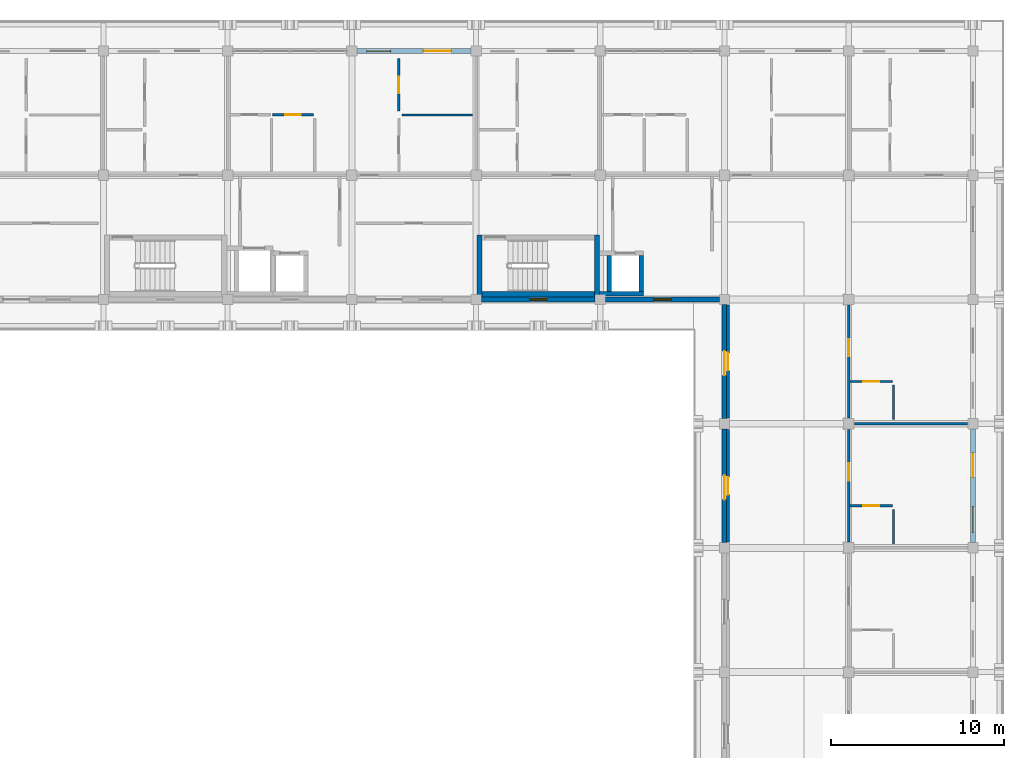
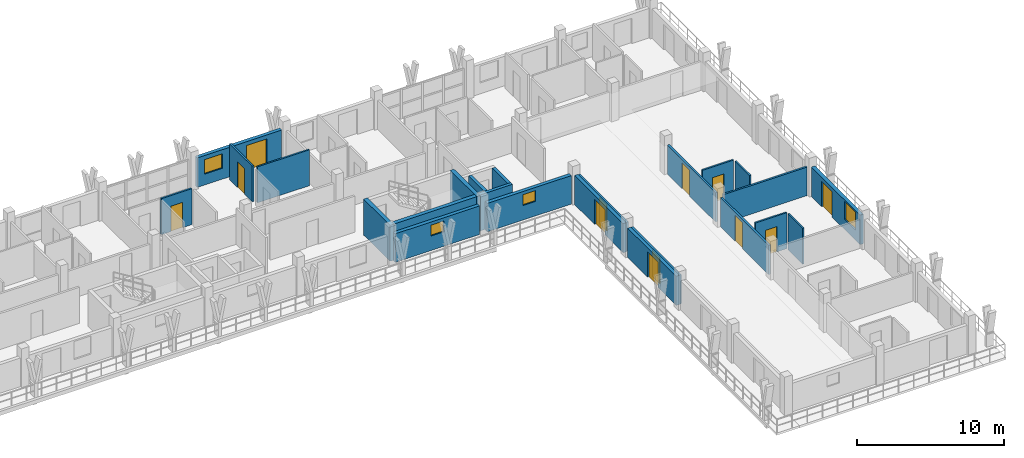
# One storey, part 58 of 76: 24 walls, 12 doors, 4 windows, 16 openings.
"""IFC4 building model written with IfcOpenShell, lengths in metres."""

import ifcopenshell
import ifcopenshell.guid

model = None  # the IFC model being written
_history = None  # IfcOwnerHistory: only IFC2X3 demands one
_inside = {}  # id of a spatial element -> (the spatial element, [elements in it])
_under = {}  # id of a project, library or spatial element -> (it, [spatial elements below it])
_declared = {}  # id of a project -> (the project, [libraries it declares])
_typed = {}  # id of a type object -> (the type object, [elements of that type])
_made_of = {}  # id of a material, layer set ... -> (it, [elements and type objects made of it])


def new_model(schema):
    """Start an empty IFC model of exactly this schema.

    Asked for "IFC4X3", IfcOpenShell would pick the latest addendum, in which some entities
    have other attributes; the version numbers below select the first issue.
    IFC2X3 requires an IfcOwnerHistory on every rooted entity: one is made here for all.
    """
    global model, _history
    if schema == "IFC4X3":
        model = ifcopenshell.file(schema_version=(4, 3, 0, 0))
    else:
        model = ifcopenshell.file(schema=schema)
    _inside.clear()
    _under.clear()
    _declared.clear()
    _typed.clear()
    _made_of.clear()
    _history = None
    if model.schema == "IFC2X3":
        org = make("IfcOrganization", Name="unknown")
        user = make(
            "IfcPersonAndOrganization",
            ThePerson=make("IfcPerson", FamilyName="unknown"),
            TheOrganization=org,
        )
        app = make(
            "IfcApplication",
            ApplicationDeveloper=org,
            Version="unknown",
            ApplicationFullName="unknown",
            ApplicationIdentifier="unknown",
        )
        _history = make(
            "IfcOwnerHistory",
            OwningUser=user,
            OwningApplication=app,
            ChangeAction="ADDED",
            CreationDate=0,
        )
    return model


def make(cls, **values):
    """One entity of the class cls with the attributes given. An attribute that is None is left unset."""
    return model.create_entity(
        cls, **{name: value for name, value in values.items() if value is not None}
    )


def rooted(cls, **values):
    """An entity with a GlobalId (a new one), such as an element, a storey or a relation."""
    return make(cls, GlobalId=ifcopenshell.guid.new(), OwnerHistory=_history, **values)


def si_unit(unit_type, name, prefix=None):
    """IfcSIUnit, for example si_unit("LENGTHUNIT", "METRE", prefix="MILLI")."""
    return make("IfcSIUnit", UnitType=unit_type, Prefix=prefix, Name=name)


def assignment(units):
    """IfcUnitAssignment: the units of a project."""
    return None if units is None else make("IfcUnitAssignment", Units=units)


def point(xyz):
    """IfcCartesianPoint."""
    return None if xyz is None else make("IfcCartesianPoint", Coordinates=xyz)


def direction(xyz):
    """IfcDirection."""
    return None if xyz is None else make("IfcDirection", DirectionRatios=xyz)


def frame(location, z_axis=None, x_axis=None):
    """IfcAxis2Placement3D, a coordinate frame: its origin and axes. An axis left out is left unset."""
    return make(
        "IfcAxis2Placement3D",
        Location=point(location),
        Axis=direction(z_axis),
        RefDirection=direction(x_axis),
    )


def frame_2d(location, x_axis=None):
    """IfcAxis2Placement2D, a coordinate frame in the plane: its origin and x axis."""
    return make(
        "IfcAxis2Placement2D", Location=point(location), RefDirection=direction(x_axis)
    )


def origin():
    """The frame at (0, 0, 0) with its axes left unset."""
    return frame((0.0, 0.0, 0.0))


def place(relative_to, where):
    """IfcLocalPlacement: puts the frame where relative to a parent placement (None: the world)."""
    return make(
        "IfcLocalPlacement", PlacementRelTo=relative_to, RelativePlacement=where
    )


def context(
    kind, dimensions, precision=None, world=None, true_north=None, identifier=None
):
    """IfcGeometricRepresentationContext, for example the 3D "Model" context."""
    return make(
        "IfcGeometricRepresentationContext",
        ContextIdentifier=identifier,
        ContextType=kind,
        CoordinateSpaceDimension=dimensions,
        Precision=precision,
        WorldCoordinateSystem=world,
        TrueNorth=true_north,
    )


def subcontext(parent, identifier, kind, view, scale=None):
    """IfcGeometricRepresentationSubContext, for example "Body" below "Model"."""
    return make(
        "IfcGeometricRepresentationSubContext",
        ContextIdentifier=identifier,
        ContextType=kind,
        ParentContext=parent,
        TargetScale=scale,
        TargetView=view,
    )


def project(units=None, contexts=None):
    """IfcProject with its units and contexts."""
    return rooted(
        "IfcProject",
        Name="project",
        RepresentationContexts=contexts,
        UnitsInContext=assignment(units),
    )


def spatial(cls, under=None, at=None, **own):
    """A site, building, storey or space (cls), placed at a placement, below another one or the project."""
    s = rooted(cls, ObjectPlacement=at, **own)
    if under is not None:
        _under.setdefault(under.id(), (under, []))[1].append(s)
    return s


def profile(cls, at=None, kind="AREA", **sizes):
    """A parametric profile (cls). Its sizes go by their IFC names, for example OverallWidth=200.0."""
    return make(cls, ProfileType=kind, Position=at, **sizes)


def rectangle(**sizes):
    """IfcRectangleProfileDef."""
    return profile("IfcRectangleProfileDef", **sizes)


def extrude(swept, where, along, depth):
    """IfcExtrudedAreaSolid: the profile swept, set in the frame where, extruded along a direction by depth."""
    return make(
        "IfcExtrudedAreaSolid",
        SweptArea=swept,
        Position=where,
        ExtrudedDirection=direction(along),
        Depth=depth,
    )


def shape(context_of_items, identifier, shape_type, items):
    """IfcShapeRepresentation: the items that make up one representation, for example the "Body"."""
    return make(
        "IfcShapeRepresentation",
        ContextOfItems=context_of_items,
        RepresentationIdentifier=identifier,
        RepresentationType=shape_type,
        Items=items,
    )


def material(Name=None, Category=None):
    """IfcMaterial."""
    return make("IfcMaterial", Name=Name, Category=Category)


def layer(
    of_material, thickness, ventilated=None, Name=None, Category=None, Priority=None
):
    """IfcMaterialLayer: one layer of a wall or slab, of a material (None: an air gap)."""
    return make(
        "IfcMaterialLayer",
        Material=of_material,
        LayerThickness=thickness,
        IsVentilated=ventilated,
        Name=Name,
        Category=Category,
        Priority=Priority,
    )


def layer_set(layers, Name=None):
    """IfcMaterialLayerSet."""
    return make("IfcMaterialLayerSet", MaterialLayers=layers, LayerSetName=Name)


def made_of(thing, what):
    """Note that an element or type object is made of a material, layer set ...; save() writes the relation."""
    if what is not None:
        _made_of.setdefault(what.id(), (what, []))[1].append(thing)
    return thing


def type_object(cls, material=None, **own):
    """A type object (cls), such as IfcWallType, which elements share."""
    return made_of(rooted(cls, **own), material)


def element(
    cls,
    number,
    at=None,
    inside=None,
    cuts=None,
    type_object=None,
    material=None,
    context=None,
    identifier="Body",
    shape_type=None,
    held_by="IfcProductDefinitionShape",
    body=None,
    shapes=None,
    **own,
):
    """One element of the class cls, such as IfcWall. Its Tag is "e" and its number.

    at: its placement. inside: the storey or other place that contains it. cuts: it is an
    opening in that element (IfcRelVoidsElement). A single representation is given by context,
    identifier, shape_type and body (its items); several are given by shapes. held_by: the class
    of the entity that holds the representations. save() writes the other relations.
    """
    e = rooted(cls, Tag="e%d" % number, ObjectPlacement=at, **own)
    if body is not None:
        shapes = [shape(context, identifier, shape_type, body)]
    if shapes is not None:
        e.Representation = make(held_by, Representations=shapes)
    if inside is not None:
        _inside.setdefault(inside.id(), (inside, []))[1].append(e)
    if cuts is not None:
        rooted(
            "IfcRelVoidsElement", RelatingBuildingElement=cuts, RelatedOpeningElement=e
        )
    if type_object is not None:
        _typed.setdefault(type_object.id(), (type_object, []))[1].append(e)
    return made_of(e, material)


def fill(opening, filler):
    """IfcRelFillsElement: the door or window that sits in an opening."""
    return rooted(
        "IfcRelFillsElement",
        RelatingOpeningElement=opening,
        RelatedBuildingElement=filler,
    )


def aggregate(whole, parts):
    """IfcRelAggregates: a whole, such as a stair, and the parts it consists of."""
    return rooted("IfcRelAggregates", RelatingObject=whole, RelatedObjects=parts)


def save(model, path):
    """Write the relations noted so far, then the file.

    IfcRelAggregates (storeys below a building ...), IfcRelContainedInSpatialStructure (elements
    in a storey), IfcRelDefinesByType, IfcRelAssociatesMaterial and IfcRelDeclares: one each for
    every whole, place, type object, material and project.
    """
    for whole, parts in _under.values():
        aggregate(whole, parts)
    for where, things in _inside.values():
        rooted(
            "IfcRelContainedInSpatialStructure",
            RelatedElements=things,
            RelatingStructure=where,
        )
    for kind, things in _typed.values():
        rooted("IfcRelDefinesByType", RelatedObjects=things, RelatingType=kind)
    for what, things in _made_of.values():
        rooted("IfcRelAssociatesMaterial", RelatedObjects=things, RelatingMaterial=what)
    for by, libraries in _declared.values():
        rooted("IfcRelDeclares", RelatingContext=by, RelatedDefinitions=libraries)
    model.write(path)


model = new_model("IFC4")

# Units and contexts
model_context = context("Model", 3, precision=1e-05, world=origin(), true_north=direction((0.0, 1.0)))
body_context = subcontext(model_context, "Body", "Model", "MODEL_VIEW")
ifc_project = project(units=[si_unit("LENGTHUNIT", "METRE"), si_unit("AREAUNIT", "SQUARE_METRE"), si_unit("VOLUMEUNIT", "CUBIC_METRE"), si_unit("PLANEANGLEUNIT", "RADIAN"), si_unit("MASSUNIT", "GRAM", prefix="KILO")], contexts=[model_context])

# Site, building, storey
site_placement = place(None, origin())
site = spatial("IfcSite", under=ifc_project, at=site_placement, CompositionType="ELEMENT")
building_placement = place(site_placement, origin())
building = spatial("IfcBuilding", under=site, at=building_placement, Name="Suanplinth Sawtooth Commons", CompositionType="ELEMENT")
storey_placement = place(building_placement, frame((0.0, 0.0, 12.199951171875)))
storey = spatial("IfcBuildingStorey", under=building, at=storey_placement, Name="L03", CompositionType="ELEMENT", Elevation=12.199951171875)

# Walls
ifc_material_1 = material(Name="Concrete C40/50", Category="concrete")
ifc_layer_1 = layer(ifc_material_1, 0.300048828125, Name="Standard RC stair and lift core wall 300mm")
ifc_layer_set_1 = layer_set([ifc_layer_1], Name="Concrete C40/50")
wall_type_1 = type_object("IfcWallType", Name="W-CR02", PredefinedType="SHEAR", material=ifc_layer_set_1)
wall_1_placement = place(storey_placement, frame((158.75, 108.300048828125, 0.0), z_axis=(0.0, 0.0, 1.0), x_axis=(1.0, 0.0, 0.0)))
element("IfcWall", 1, at=wall_1_placement, inside=storey, type_object=wall_type_1, Name="W-L03-C-B2-STS", PredefinedType="SHEAR", context=body_context, shape_type="SweptSolid", body=[
    extrude(rectangle(XDim=6.5, YDim=0.300048828125, at=frame_2d((3.25, 0.0))), origin(), (0.0, 0.0, 1.0), 2.97998046875),
])
for number, where, z_axis, x_axis, name in (
    (2, (158.60009765625, 108.14990234375, 0.0), (0.0, 0.0, 1.0), (0.0, 1.0, 0.0), "W-L03-C-B2-STW"),
    (3, (165.39990234375, 108.14990234375, 0.0), (0.0, 0.0, 1.0), (0.0, 1.0, 0.0), "W-L03-C-B2-STE"),
):
    element("IfcWall", number, at=place(storey_placement, frame(where, z_axis=z_axis, x_axis=x_axis)), inside=storey, type_object=wall_type_1, Name=name, PredefinedType="SHEAR", context=body_context, shape_type="SweptSolid", body=[
        extrude(rectangle(XDim=3.60009765625, YDim=0.300048828125, at=frame_2d((1.800048828125, 0.0))), origin(), (0.0, 0.0, 1.0), 2.97998046875),
    ])

# Wall, openings, door, window
ifc_material_2 = material(Name="Precast concrete C40/50", Category="concrete")
ifc_layer_2 = layer(ifc_material_2, 0.280029296875, Name="Insulated precast architectural facade wall 280mm")
ifc_layer_set_2 = layer_set([ifc_layer_2], Name="Precast concrete C40/50")
wall_type_2 = type_object("IfcWallType", Name="W-EX01", PredefinedType="ELEMENTEDWALL", material=ifc_layer_set_2)
wall_2_placement = place(storey_placement, frame((151.5, 122.39990234375, 0.0), z_axis=(0.0, 0.0, 1.0), x_axis=(1.0, 0.0, 0.0)))
wall_2 = element("IfcWall", 4, at=wall_2_placement, inside=storey, type_object=wall_type_2, Name="Facade Wall W-L03-B-N-21-16", PredefinedType="ELEMENTEDWALL", context=body_context, shape_type="SweptSolid", body=[
    extrude(rectangle(XDim=6.60009765625, YDim=0.280029296875, at=frame_2d((3.300048828125, 0.0))), origin(), (0.0, 0.0, 1.0), 2.445068359375),
])
opening_1_placement = place(wall_2_placement, frame((3.85009765625, 0.0, 0.0)))
opening_1 = element("IfcOpeningElement", 5, at=opening_1_placement, cuts=wall_2, Name="Opening ED0252", PredefinedType="OPENING", context=body_context, shape_type="SweptSolid", body=[
    extrude(rectangle(XDim=1.60009765625, YDim=2.1201171875, at=frame_2d((0.800048828125, 1.06005859375))), frame((0.0, 0.15478515625, 0.0), z_axis=(0.0, -1.0, 0.0), x_axis=(1.0, 0.0, 0.0)), (0.0, 0.0, 1.0), 0.309814453125),
])
opening_2_placement = place(wall_2_placement, frame((0.550048828125, 0.0, 0.89990234375)))
opening_2 = element("IfcOpeningElement", 6, at=opening_2_placement, cuts=wall_2, Name="Opening W0360", PredefinedType="OPENING", context=body_context, shape_type="SweptSolid", body=[
    extrude(rectangle(XDim=1.39990234375, YDim=1.199951171875, at=frame_2d((0.699951171875, 0.60009765625))), frame((0.0, 0.15478515625, 0.0), z_axis=(0.0, -1.0, 0.0), x_axis=(1.0, 0.0, 0.0)), (0.0, 0.0, 1.0), 0.309814453125),
])
ifc_material_3 = material(Name="Anodized aluminium and low-E glass", Category="aluminium")
door_type_1 = type_object("IfcDoorType", Name="SD-02", OperationType="SLIDING_TO_RIGHT", PredefinedType="DOOR", material=ifc_material_3)
door_1_placement = place(opening_1_placement, frame((1.60009765625, 0.0, 0.0), z_axis=(0.0, 0.0, 1.0), x_axis=(-1.0, 0.0, 0.0)))
door_1 = element("IfcDoor", 7, at=door_1_placement, inside=storey, type_object=door_type_1, Name="Balcony Sliding Door L03-B-21", OperationType="SLIDING_TO_RIGHT", OverallHeight=2.1201171875, OverallWidth=1.60009765625, PredefinedType="DOOR", context=body_context, shape_type="SweptSolid", body=[
    extrude(rectangle(XDim=1.60009765625, YDim=2.1201171875, at=frame_2d((0.800048828125, 1.06005859375))), frame((0.0, 0.02490234375, 0.0), z_axis=(0.0, -1.0, 0.0), x_axis=(1.0, 0.0, 0.0)), (0.0, 0.0, 1.0), 0.050048828125),
])
fill(opening_1, door_1)
ifc_material_4 = material(Name="Thermally broken aluminium and low-E double glazing", Category="aluminium")
window_type_1 = type_object("IfcWindowType", Name="WN-10", PartitioningType="DOUBLE_PANEL_HORIZONTAL", PredefinedType="WINDOW", material=ifc_material_4)
window_1_placement = place(opening_2_placement, origin())
window_1 = element("IfcWindow", 8, at=window_1_placement, inside=storey, type_object=window_type_1, Name="Apartment Window L03-B-21", OverallHeight=1.199951171875, OverallWidth=1.39990234375, PartitioningType="DOUBLE_PANEL_HORIZONTAL", PredefinedType="WINDOW", context=body_context, shape_type="SweptSolid", body=[
    extrude(rectangle(XDim=1.39990234375, YDim=1.199951171875, at=frame_2d((0.699951171875, 0.60009765625))), frame((0.0, 0.030029296875, 0.0), z_axis=(0.0, -1.0, 0.0), x_axis=(1.0, 0.0, 0.0)), (0.0, 0.0, 1.0), 0.06005859375),
])
fill(opening_2, window_1)

# Wall, opening, window
wall_3_placement = place(storey_placement, frame((158.699951171875, 108.0, 0.0), z_axis=(0.0, 0.0, 1.0), x_axis=(1.0, 0.0, 0.0)))
wall_3 = element("IfcWall", 9, at=wall_3_placement, inside=storey, type_object=wall_type_2, Name="Facade Wall W-L03-B-S-22-15", PredefinedType="ELEMENTEDWALL", context=body_context, shape_type="SweptSolid", body=[
    extrude(rectangle(XDim=6.60009765625, YDim=0.280029296875, at=frame_2d((3.300048828125, 0.0))), origin(), (0.0, 0.0, 1.0), 2.364990234375),
])
opening_3_placement = place(wall_3_placement, frame((2.800048828125, 0.0, 1.199951171875)))
opening_3 = element("IfcOpeningElement", 10, at=opening_3_placement, cuts=wall_3, Name="Opening W0361", PredefinedType="OPENING", context=body_context, shape_type="SweptSolid", body=[
    extrude(rectangle(XDim=1.0, YDim=0.89990234375, at=frame_2d((0.5, 0.449951171875))), frame((0.0, 0.15478515625, 0.0), z_axis=(0.0, -1.0, 0.0), x_axis=(1.0, 0.0, 0.0)), (0.0, 0.0, 1.0), 0.309814453125),
])
window_type_2 = type_object("IfcWindowType", Name="WN-12", PartitioningType="SINGLE_PANEL", PredefinedType="WINDOW", material=ifc_material_4)
window_2_placement = place(opening_3_placement, origin())
window_2 = element("IfcWindow", 11, at=window_2_placement, inside=storey, type_object=window_type_2, Name="Core Daylight Window L03-B-22-15", OverallHeight=0.89990234375, OverallWidth=1.0, PartitioningType="SINGLE_PANEL", PredefinedType="WINDOW", context=body_context, shape_type="SweptSolid", body=[
    extrude(rectangle(XDim=1.0, YDim=0.89990234375, at=frame_2d((0.5, 0.449951171875))), frame((0.0, 0.030029296875, 0.0), z_axis=(0.0, -1.0, 0.0), x_axis=(1.0, 0.0, 0.0)), (0.0, 0.0, 1.0), 0.06005859375),
])
fill(opening_3, window_2)

wall_4_placement = place(storey_placement, frame((165.89990234375, 108.0, 0.0), z_axis=(0.0, 0.0, 1.0), x_axis=(1.0, 0.0, 0.0)))
wall_4 = element("IfcWall", 12, at=wall_4_placement, inside=storey, type_object=wall_type_2, Name="Facade Wall W-L03-B-S-23-15", PredefinedType="ELEMENTEDWALL", context=body_context, shape_type="SweptSolid", body=[
    extrude(rectangle(XDim=6.60009765625, YDim=0.280029296875, at=frame_2d((3.300048828125, 0.0))), origin(), (0.0, 0.0, 1.0), 2.364990234375),
])
opening_4_placement = place(wall_4_placement, frame((2.800048828125, 0.0, 1.199951171875)))
opening_4 = element("IfcOpeningElement", 13, at=opening_4_placement, cuts=wall_4, Name="Opening W0363", PredefinedType="OPENING", context=body_context, shape_type="SweptSolid", body=[
    extrude(rectangle(XDim=1.0, YDim=0.89990234375, at=frame_2d((0.5, 0.449951171875))), frame((0.0, 0.15478515625, 0.0), z_axis=(0.0, -1.0, 0.0), x_axis=(1.0, 0.0, 0.0)), (0.0, 0.0, 1.0), 0.309814453125),
])
window_3_placement = place(opening_4_placement, origin())
window_3 = element("IfcWindow", 14, at=window_3_placement, inside=storey, type_object=window_type_2, Name="Core Daylight Window L03-B-23-15", OverallHeight=0.89990234375, OverallWidth=1.0, PartitioningType="SINGLE_PANEL", PredefinedType="WINDOW", context=body_context, shape_type="SweptSolid", body=[
    extrude(rectangle(XDim=1.0, YDim=0.89990234375, at=frame_2d((0.5, 0.449951171875))), frame((0.0, 0.030029296875, 0.0), z_axis=(0.0, -1.0, 0.0), x_axis=(1.0, 0.0, 0.0)), (0.0, 0.0, 1.0), 0.06005859375),
])
fill(opening_4, window_3)

# Wall, opening, door
wall_5_placement = place(storey_placement, frame((172.800048828125, 93.89990234375, 0.0), z_axis=(0.0, 0.0, 1.0), x_axis=(0.0, 1.0, 0.0)))
wall_5 = element("IfcWall", 15, at=wall_5_placement, inside=storey, type_object=wall_type_2, Name="Facade Wall W-L03-B-W-24-13", PredefinedType="ELEMENTEDWALL", context=body_context, shape_type="SweptSolid", body=[
    extrude(rectangle(XDim=6.60009765625, YDim=0.280029296875, at=frame_2d((3.300048828125, 0.0))), origin(), (0.0, 0.0, 1.0), 2.4150390625),
])
opening_5_placement = place(wall_5_placement, frame((2.5, 0.0, 0.0)))
opening_5 = element("IfcOpeningElement", 16, at=opening_5_placement, cuts=wall_5, Name="Opening ED0256", PredefinedType="OPENING", context=body_context, shape_type="SweptSolid", body=[
    extrude(rectangle(XDim=1.39990234375, YDim=2.10009765625, at=frame_2d((0.699951171875, 1.050048828125))), frame((0.0, 0.15478515625, 0.0), z_axis=(0.0, -1.0, 0.0), x_axis=(1.0, 0.0, 0.0)), (0.0, 0.0, 1.0), 0.309814453125),
])
door_type_2 = type_object("IfcDoorType", Name="SD-07", OperationType="SLIDING_TO_RIGHT", PredefinedType="DOOR", material=ifc_material_3)
door_2_placement = place(opening_5_placement, frame((1.39990234375, 0.0, 0.0), z_axis=(0.0, 0.0, 1.0), x_axis=(-1.0, 0.0, 0.0)))
door_2 = element("IfcDoor", 17, at=door_2_placement, inside=storey, type_object=door_type_2, Name="Courtyard Veranda Studio Balcony Door L03-B-13", OperationType="SLIDING_TO_RIGHT", OverallHeight=2.10009765625, OverallWidth=1.39990234375, PredefinedType="DOOR", context=body_context, shape_type="SweptSolid", body=[
    extrude(rectangle(XDim=1.39990234375, YDim=2.10009765625, at=frame_2d((0.699951171875, 1.050048828125))), frame((0.0, 0.02490234375, 0.0), z_axis=(0.0, -1.0, 0.0), x_axis=(1.0, 0.0, 0.0)), (0.0, 0.0, 1.0), 0.050048828125),
])
fill(opening_5, door_2)

wall_6_placement = place(storey_placement, frame((172.800048828125, 101.10009765625, 0.0), z_axis=(0.0, 0.0, 1.0), x_axis=(0.0, 1.0, 0.0)))
wall_6 = element("IfcWall", 18, at=wall_6_placement, inside=storey, type_object=wall_type_2, Name="Facade Wall W-L03-B-W-24-14", PredefinedType="ELEMENTEDWALL", context=body_context, shape_type="SweptSolid", body=[
    extrude(rectangle(XDim=6.599853515625, YDim=0.280029296875, at=frame_2d((3.2998046875, 0.0))), origin(), (0.0, 0.0, 1.0), 2.4150390625),
])
opening_6_placement = place(wall_6_placement, frame((2.5, 0.0, 0.0)))
opening_6 = element("IfcOpeningElement", 19, at=opening_6_placement, cuts=wall_6, Name="Opening ED0257", PredefinedType="OPENING", context=body_context, shape_type="SweptSolid", body=[
    extrude(rectangle(XDim=1.39990234375, YDim=2.10009765625, at=frame_2d((0.699951171875, 1.050048828125))), frame((0.0, 0.15478515625, 0.0), z_axis=(0.0, -1.0, 0.0), x_axis=(1.0, 0.0, 0.0)), (0.0, 0.0, 1.0), 0.309814453125),
])
door_3_placement = place(opening_6_placement, frame((1.39990234375, 0.0, 0.0), z_axis=(0.0, 0.0, 1.0), x_axis=(-1.0, 0.0, 0.0)))
door_3 = element("IfcDoor", 20, at=door_3_placement, inside=storey, type_object=door_type_2, Name="Courtyard Veranda Studio Balcony Door L03-B-14", OperationType="SLIDING_TO_RIGHT", OverallHeight=2.10009765625, OverallWidth=1.39990234375, PredefinedType="DOOR", context=body_context, shape_type="SweptSolid", body=[
    extrude(rectangle(XDim=1.39990234375, YDim=2.10009765625, at=frame_2d((0.699951171875, 1.050048828125))), frame((0.0, 0.02490234375, 0.0), z_axis=(0.0, -1.0, 0.0), x_axis=(1.0, 0.0, 0.0)), (0.0, 0.0, 1.0), 0.050048828125),
])
fill(opening_6, door_3)

# Wall, openings, door, window
wall_7_placement = place(storey_placement, frame((187.199951171875, 93.89990234375, 0.0), z_axis=(0.0, 0.0, 1.0), x_axis=(0.0, 1.0, 0.0)))
wall_7 = element("IfcWall", 21, at=wall_7_placement, inside=storey, type_object=wall_type_2, Name="Facade Wall W-L03-B-E-25-13", PredefinedType="ELEMENTEDWALL", context=body_context, shape_type="SweptSolid", body=[
    extrude(rectangle(XDim=6.60009765625, YDim=0.280029296875, at=frame_2d((3.300048828125, 0.0))), origin(), (0.0, 0.0, 1.0), 2.445068359375),
])
opening_7_placement = place(wall_7_placement, frame((3.800048828125, 0.0, 0.0)))
opening_7 = element("IfcOpeningElement", 22, at=opening_7_placement, cuts=wall_7, Name="Opening ED0262", PredefinedType="OPENING", context=body_context, shape_type="SweptSolid", body=[
    extrude(rectangle(XDim=1.39990234375, YDim=2.10009765625, at=frame_2d((0.699951171875, 1.050048828125))), frame((0.0, 0.15478515625, 0.0), z_axis=(0.0, -1.0, 0.0), x_axis=(1.0, 0.0, 0.0)), (0.0, 0.0, 1.0), 0.309814453125),
])
opening_8_placement = place(wall_7_placement, frame((0.60009765625, 0.0, 0.8349609375)))
opening_8 = element("IfcOpeningElement", 23, at=opening_8_placement, cuts=wall_7, Name="Opening W0368", PredefinedType="OPENING", context=body_context, shape_type="SweptSolid", body=[
    extrude(rectangle(XDim=1.5, YDim=1.5, at=frame_2d((0.75, 0.75))), frame((0.0, 0.15478515625, 0.0), z_axis=(0.0, -1.0, 0.0), x_axis=(1.0, 0.0, 0.0)), (0.0, 0.0, 1.0), 0.309814453125),
])
door_4_placement = place(opening_7_placement, frame((1.39990234375, 0.0, 0.0), z_axis=(0.0, 0.0, 1.0), x_axis=(-1.0, 0.0, 0.0)))
door_4 = element("IfcDoor", 24, at=door_4_placement, inside=storey, type_object=door_type_2, Name="Wing Balcony Sliding Door L03-B-13", OperationType="SLIDING_TO_RIGHT", OverallHeight=2.10009765625, OverallWidth=1.39990234375, PredefinedType="DOOR", context=body_context, shape_type="SweptSolid", body=[
    extrude(rectangle(XDim=1.39990234375, YDim=2.10009765625, at=frame_2d((0.699951171875, 1.050048828125))), frame((0.0, 0.02490234375, 0.0), z_axis=(0.0, -1.0, 0.0), x_axis=(1.0, 0.0, 0.0)), (0.0, 0.0, 1.0), 0.050048828125),
])
fill(opening_7, door_4)
window_type_3 = type_object("IfcWindowType", Name="WN-02", PartitioningType="DOUBLE_PANEL_VERTICAL", PredefinedType="WINDOW", material=ifc_material_4)
window_4_placement = place(opening_8_placement, origin())
window_4 = element("IfcWindow", 25, at=window_4_placement, inside=storey, type_object=window_type_3, Name="Wing Window L03-B-13", OverallHeight=1.5, OverallWidth=1.5, PartitioningType="DOUBLE_PANEL_VERTICAL", PredefinedType="WINDOW", context=body_context, shape_type="SweptSolid", body=[
    extrude(rectangle(XDim=1.5, YDim=1.5, at=frame_2d((0.75, 0.75))), frame((0.0, 0.030029296875, 0.0), z_axis=(0.0, -1.0, 0.0), x_axis=(1.0, 0.0, 0.0)), (0.0, 0.0, 1.0), 0.06005859375),
])
fill(opening_8, window_4)

# Wall, opening, door
ifc_layer_3 = layer(ifc_material_2, 0.159912109375, Name="Fire-rated corridor and lobby wall 160mm")
ifc_layer_set_3 = layer_set([ifc_layer_3], Name="Precast concrete C40/50")
wall_type_3 = type_object("IfcWallType", Name="W-FW01", PredefinedType="PARTITIONING", material=ifc_layer_set_3)
wall_8_placement = place(storey_placement, frame((180.0, 93.929931640625, 0.0), z_axis=(0.0, 0.0, 1.0), x_axis=(0.0, 1.0, 0.0)))
wall_8 = element("IfcWall", 26, at=wall_8_placement, inside=storey, type_object=wall_type_3, Name="W-B-L03-L03-COR", PredefinedType="PARTITIONING", context=body_context, shape_type="SweptSolid", body=[
    extrude(rectangle(XDim=6.5400390625, YDim=0.159912109375, at=frame_2d((3.27001953125, 0.0))), origin(), (0.0, 0.0, 1.0), 2.4150390625),
])
opening_9_placement = place(wall_8_placement, frame((3.570068359375, 0.0, 0.0)))
opening_9 = element("IfcOpeningElement", 27, at=opening_9_placement, cuts=wall_8, Name="Opening FD0955", PredefinedType="OPENING", context=body_context, shape_type="SweptSolid", body=[
    extrude(rectangle(XDim=1.0, YDim=2.14990234375, at=frame_2d((0.5, 1.074951171875))), frame((0.0, 0.0947265625, 0.0), z_axis=(0.0, -1.0, 0.0), x_axis=(1.0, 0.0, 0.0)), (0.0, 0.0, 1.0), 0.189697265625),
])
ifc_material_5 = material(Name="Teak hardwood fire-rated door assembly", Category="wood")
door_type_3 = type_object("IfcDoorType", Name="FD-03", OperationType="NOTDEFINED", PredefinedType="DOOR", material=ifc_material_5)
door_5_placement = place(opening_9_placement, frame((1.0, 0.0, 0.0), z_axis=(0.0, 0.0, 1.0), x_axis=(-1.0, 0.0, 0.0)))
door_5 = element("IfcDoor", 28, at=door_5_placement, inside=storey, type_object=door_type_3, Name="Wing Unit Entrance Door FD0955", OperationType="SINGLE_SWING_LEFT", OverallHeight=2.14990234375, OverallWidth=1.0, PredefinedType="DOOR", context=body_context, shape_type="SweptSolid", body=[
    extrude(rectangle(XDim=1.0, YDim=2.14990234375, at=frame_2d((0.5, 1.074951171875))), frame((0.0, 0.02490234375, 0.0), z_axis=(0.0, -1.0, 0.0), x_axis=(1.0, 0.0, 0.0)), (0.0, 0.0, 1.0), 0.050048828125),
])
fill(opening_9, door_5)

wall_9_placement = place(storey_placement, frame((173.0, 93.929931640625, 0.0), z_axis=(0.0, 0.0, 1.0), x_axis=(0.0, 1.0, 0.0)))
wall_9 = element("IfcWall", 29, at=wall_9_placement, inside=storey, type_object=wall_type_3, Name="W-B-L03-LEGCOURTROOM-38-COR", PredefinedType="PARTITIONING", context=body_context, shape_type="SweptSolid", body=[
    extrude(rectangle(XDim=6.5400390625, YDim=0.159912109375, at=frame_2d((3.27001953125, 0.0))), origin(), (0.0, 0.0, 1.0), 2.4150390625),
])
opening_10_placement = place(wall_9_placement, frame((2.760009765625, 0.0, 0.0)))
opening_10 = element("IfcOpeningElement", 30, at=opening_10_placement, cuts=wall_9, Name="Opening D0957", PredefinedType="OPENING", context=body_context, shape_type="SweptSolid", body=[
    extrude(rectangle(XDim=1.02001953125, YDim=2.179931640625, at=frame_2d((0.510009765625, 1.08984375))), frame((0.0, 0.0947265625, 0.0), z_axis=(0.0, -1.0, 0.0), x_axis=(1.0, 0.0, 0.0)), (0.0, 0.0, 1.0), 0.189697265625),
])
ifc_material_6 = material(Name="Teak hardwood", Category="wood")
door_type_4 = type_object("IfcDoorType", Name="D-16", OperationType="NOTDEFINED", PredefinedType="DOOR", material=ifc_material_6)
door_6_placement = place(opening_10_placement, origin())
door_6 = element("IfcDoor", 31, at=door_6_placement, inside=storey, type_object=door_type_4, Name="Veranda Studio Door D0957", OperationType="SINGLE_SWING_LEFT", OverallHeight=2.179931640625, OverallWidth=1.02001953125, PredefinedType="DOOR", context=body_context, shape_type="SweptSolid", body=[
    extrude(rectangle(XDim=1.02001953125, YDim=2.179931640625, at=frame_2d((0.510009765625, 1.08984375))), frame((0.0, 0.02490234375, 0.0), z_axis=(0.0, -1.0, 0.0), x_axis=(1.0, 0.0, 0.0)), (0.0, 0.0, 1.0), 0.050048828125),
])
fill(opening_10, door_6)

wall_10_placement = place(storey_placement, frame((180.0, 101.1298828125, 0.0), z_axis=(0.0, 0.0, 1.0), x_axis=(0.0, 1.0, 0.0)))
wall_10 = element("IfcWall", 32, at=wall_10_placement, inside=storey, type_object=wall_type_3, Name="W-B-L03-L04-COR", PredefinedType="PARTITIONING", context=body_context, shape_type="SweptSolid", body=[
    extrude(rectangle(XDim=6.5400390625, YDim=0.159912109375, at=frame_2d((3.27001953125, 0.0))), origin(), (0.0, 0.0, 1.0), 2.4150390625),
])
opening_11_placement = place(wall_10_placement, frame((3.570068359375, 0.0, 0.0)))
opening_11 = element("IfcOpeningElement", 33, at=opening_11_placement, cuts=wall_10, Name="Opening FD0958", PredefinedType="OPENING", context=body_context, shape_type="SweptSolid", body=[
    extrude(rectangle(XDim=1.0, YDim=2.14990234375, at=frame_2d((0.5, 1.074951171875))), frame((0.0, 0.0947265625, 0.0), z_axis=(0.0, -1.0, 0.0), x_axis=(1.0, 0.0, 0.0)), (0.0, 0.0, 1.0), 0.189697265625),
])
door_7_placement = place(opening_11_placement, frame((1.0, 0.0, 0.0), z_axis=(0.0, 0.0, 1.0), x_axis=(-1.0, 0.0, 0.0)))
door_7 = element("IfcDoor", 34, at=door_7_placement, inside=storey, type_object=door_type_3, Name="Wing Unit Entrance Door FD0958", OperationType="SINGLE_SWING_RIGHT", OverallHeight=2.14990234375, OverallWidth=1.0, PredefinedType="DOOR", context=body_context, shape_type="SweptSolid", body=[
    extrude(rectangle(XDim=1.0, YDim=2.14990234375, at=frame_2d((0.5, 1.074951171875))), frame((0.0, 0.02490234375, 0.0), z_axis=(0.0, -1.0, 0.0), x_axis=(1.0, 0.0, 0.0)), (0.0, 0.0, 1.0), 0.050048828125),
])
fill(opening_11, door_7)

wall_11_placement = place(storey_placement, frame((173.0, 101.1298828125, 0.0), z_axis=(0.0, 0.0, 1.0), x_axis=(0.0, 1.0, 0.0)))
wall_11 = element("IfcWall", 35, at=wall_11_placement, inside=storey, type_object=wall_type_3, Name="W-B-L03-LEGCOURTROOM-40-COR", PredefinedType="PARTITIONING", context=body_context, shape_type="SweptSolid", body=[
    extrude(rectangle(XDim=6.5400390625, YDim=0.159912109375, at=frame_2d((3.27001953125, 0.0))), origin(), (0.0, 0.0, 1.0), 2.4150390625),
])
opening_12_placement = place(wall_11_placement, frame((2.760009765625, 0.0, 0.0)))
opening_12 = element("IfcOpeningElement", 36, at=opening_12_placement, cuts=wall_11, Name="Opening D0960", PredefinedType="OPENING", context=body_context, shape_type="SweptSolid", body=[
    extrude(rectangle(XDim=1.02001953125, YDim=2.179931640625, at=frame_2d((0.510009765625, 1.08984375))), frame((0.0, 0.0947265625, 0.0), z_axis=(0.0, -1.0, 0.0), x_axis=(1.0, 0.0, 0.0)), (0.0, 0.0, 1.0), 0.189697265625),
])
door_8_placement = place(opening_12_placement, origin())
door_8 = element("IfcDoor", 37, at=door_8_placement, inside=storey, type_object=door_type_4, Name="Veranda Studio Door D0960", OperationType="SINGLE_SWING_RIGHT", OverallHeight=2.179931640625, OverallWidth=1.02001953125, PredefinedType="DOOR", context=body_context, shape_type="SweptSolid", body=[
    extrude(rectangle(XDim=1.02001953125, YDim=2.179931640625, at=frame_2d((0.510009765625, 1.08984375))), frame((0.0, 0.02490234375, 0.0), z_axis=(0.0, -1.0, 0.0), x_axis=(1.0, 0.0, 0.0)), (0.0, 0.0, 1.0), 0.050048828125),
])
fill(opening_12, door_8)

# Wall
ifc_layer_4 = layer(ifc_material_2, 0.14990234375, Name="Acoustic precast party demising wall 150mm")
ifc_layer_set_4 = layer_set([ifc_layer_4], Name="Precast concrete C40/50")
wall_type_4 = type_object("IfcWallType", Name="W-FW02", PredefinedType="PARTITIONING", material=ifc_layer_set_4)
wall_12_placement = place(storey_placement, frame((180.330078125, 100.800048828125, 0.0), z_axis=(0.0, 0.0, 1.0), x_axis=(1.0, 0.0, 0.0)))
element("IfcWall", 38, at=wall_12_placement, inside=storey, type_object=wall_type_4, Name="W-B-L03-L03-PTY", PredefinedType="PARTITIONING", context=body_context, shape_type="SweptSolid", body=[
    extrude(rectangle(XDim=6.5400390625, YDim=0.14990234375, at=frame_2d((3.27001953125, 0.0))), origin(), (0.0, 0.0, 1.0), 2.364990234375),
])

# Wall, opening, door
ifc_material_7 = material(Name="Gypsum plasterboard on steel stud", Category="steel")
ifc_layer_5 = layer(ifc_material_7, 0.139892578125, Name="Fire-rated kitchen partition 140mm")
ifc_layer_set_5 = layer_set([ifc_layer_5], Name="Gypsum plasterboard on steel stud")
wall_type_5 = type_object("IfcWallType", Name="W-PT01", PredefinedType="PARTITIONING", material=ifc_layer_set_5)
wall_13_placement = place(storey_placement, frame((146.60009765625, 118.7099609375, 0.0), z_axis=(0.0, 0.0, 1.0), x_axis=(1.0, 0.0, 0.0)))
wall_13 = element("IfcWall", 39, at=wall_13_placement, inside=storey, type_object=wall_type_5, Name="W-B-L03-U03-KIT1", PredefinedType="PARTITIONING", context=body_context, shape_type="SweptSolid", body=[
    extrude(rectangle(XDim=2.3798828125, YDim=0.139892578125, at=frame_2d((1.18994140625, 0.0))), origin(), (0.0, 0.0, 1.0), 2.97998046875),
])
opening_13_placement = place(wall_13_placement, frame((0.72998046875, 0.0, 0.0)))
opening_13 = element("IfcOpeningElement", 40, at=opening_13_placement, cuts=wall_13, Name="Opening D0932", PredefinedType="OPENING", context=body_context, shape_type="SweptSolid", body=[
    extrude(rectangle(XDim=0.919921875, YDim=2.10009765625, at=frame_2d((0.4599609375, 1.050048828125))), frame((0.0, 0.0849609375, 0.0), z_axis=(0.0, -1.0, 0.0), x_axis=(1.0, 0.0, 0.0)), (0.0, 0.0, 1.0), 0.169677734375),
])
door_type_5 = type_object("IfcDoorType", Name="D-02", OperationType="NOTDEFINED", PredefinedType="DOOR", material=ifc_material_6)
door_9_placement = place(opening_13_placement, frame((0.919921875, 0.0, 0.0), z_axis=(0.0, 0.0, 1.0), x_axis=(-1.0, 0.0, 0.0)))
door_9 = element("IfcDoor", 41, at=door_9_placement, inside=storey, type_object=door_type_5, Name="Kitchen Door D0932", OperationType="SINGLE_SWING_RIGHT", OverallHeight=2.10009765625, OverallWidth=0.919921875, PredefinedType="DOOR", context=body_context, shape_type="SweptSolid", body=[
    extrude(rectangle(XDim=0.919921875, YDim=2.10009765625, at=frame_2d((0.4599609375, 1.050048828125))), frame((0.0, 0.02490234375, 0.0), z_axis=(0.0, -1.0, 0.0), x_axis=(1.0, 0.0, 0.0)), (0.0, 0.0, 1.0), 0.050048828125),
])
fill(opening_13, door_9)

ifc_layer_6 = layer(ifc_material_7, 0.1298828125, Name="Moisture-resistant bathroom partition 130mm")
ifc_layer_set_6 = layer_set([ifc_layer_6], Name="Gypsum plasterboard on steel stud")
wall_type_6 = type_object("IfcWallType", Name="W-PT02", PredefinedType="PARTITIONING", material=ifc_layer_set_6)
wall_14_placement = place(storey_placement, frame((180.080078125, 96.044921875, 0.0), z_axis=(0.0, 0.0, 1.0), x_axis=(1.0, 0.0, 0.0)))
wall_14 = element("IfcWall", 42, at=wall_14_placement, inside=storey, type_object=wall_type_6, Name="W-B-L03-L03-BTH1", PredefinedType="PARTITIONING", context=body_context, shape_type="SweptSolid", body=[
    extrude(rectangle(XDim=2.449951171875, YDim=0.1298828125, at=frame_2d((1.22509765625, 0.0))), origin(), (0.0, 0.0, 1.0), 2.97998046875),
])
opening_14_placement = place(wall_14_placement, frame((0.77490234375, 0.0, 0.0)))
opening_14 = element("IfcOpeningElement", 43, at=opening_14_placement, cuts=wall_14, Name="Opening D0956", PredefinedType="OPENING", context=body_context, shape_type="SweptSolid", body=[
    extrude(rectangle(XDim=0.89990234375, YDim=2.10009765625, at=frame_2d((0.449951171875, 1.050048828125))), frame((0.0, 0.079833984375, 0.0), z_axis=(0.0, -1.0, 0.0), x_axis=(1.0, 0.0, 0.0)), (0.0, 0.0, 1.0), 0.15966796875),
])
door_type_6 = type_object("IfcDoorType", Name="D-01", OperationType="NOTDEFINED", PredefinedType="DOOR", material=ifc_material_6)
door_10_placement = place(opening_14_placement, frame((0.89990234375, 0.0, 0.0), z_axis=(0.0, 0.0, 1.0), x_axis=(-1.0, 0.0, 0.0)))
door_10 = element("IfcDoor", 44, at=door_10_placement, inside=storey, type_object=door_type_6, Name="Bathroom Door D0956", OperationType="SINGLE_SWING_RIGHT", OverallHeight=2.10009765625, OverallWidth=0.89990234375, PredefinedType="DOOR", context=body_context, shape_type="SweptSolid", body=[
    extrude(rectangle(XDim=0.89990234375, YDim=2.10009765625, at=frame_2d((0.449951171875, 1.050048828125))), frame((0.0, 0.02490234375, 0.0), z_axis=(0.0, -1.0, 0.0), x_axis=(1.0, 0.0, 0.0)), (0.0, 0.0, 1.0), 0.050048828125),
])
fill(opening_14, door_10)

# Wall
wall_15_placement = place(storey_placement, frame((182.594970703125, 93.830078125, 0.0), z_axis=(0.0, 0.0, 1.0), x_axis=(0.0, 1.0, 0.0)))
element("IfcWall", 45, at=wall_15_placement, inside=storey, type_object=wall_type_6, Name="W-B-L03-L03-BTH2", PredefinedType="PARTITIONING", context=body_context, shape_type="SweptSolid", body=[
    extrude(rectangle(XDim=2.0, YDim=0.1298828125, at=frame_2d((1.0, 0.0))), origin(), (0.0, 0.0, 1.0), 2.97998046875),
])

# Wall, opening, door
wall_16_placement = place(storey_placement, frame((180.080078125, 103.2451171875, 0.0), z_axis=(0.0, 0.0, 1.0), x_axis=(1.0, 0.0, 0.0)))
wall_16 = element("IfcWall", 46, at=wall_16_placement, inside=storey, type_object=wall_type_6, Name="W-B-L03-L04-BTH1", PredefinedType="PARTITIONING", context=body_context, shape_type="SweptSolid", body=[
    extrude(rectangle(XDim=2.449951171875, YDim=0.1298828125, at=frame_2d((1.22509765625, 0.0))), origin(), (0.0, 0.0, 1.0), 2.97998046875),
])
opening_15_placement = place(wall_16_placement, frame((0.77490234375, 0.0, 0.0)))
opening_15 = element("IfcOpeningElement", 47, at=opening_15_placement, cuts=wall_16, Name="Opening D0959", PredefinedType="OPENING", context=body_context, shape_type="SweptSolid", body=[
    extrude(rectangle(XDim=0.89990234375, YDim=2.10009765625, at=frame_2d((0.449951171875, 1.050048828125))), frame((0.0, 0.079833984375, 0.0), z_axis=(0.0, -1.0, 0.0), x_axis=(1.0, 0.0, 0.0)), (0.0, 0.0, 1.0), 0.15966796875),
])
door_11_placement = place(opening_15_placement, frame((0.89990234375, 0.0, 0.0), z_axis=(0.0, 0.0, 1.0), x_axis=(-1.0, 0.0, 0.0)))
door_11 = element("IfcDoor", 48, at=door_11_placement, inside=storey, type_object=door_type_6, Name="Bathroom Door D0959", OperationType="SINGLE_SWING_LEFT", OverallHeight=2.10009765625, OverallWidth=0.89990234375, PredefinedType="DOOR", context=body_context, shape_type="SweptSolid", body=[
    extrude(rectangle(XDim=0.89990234375, YDim=2.10009765625, at=frame_2d((0.449951171875, 1.050048828125))), frame((0.0, 0.02490234375, 0.0), z_axis=(0.0, -1.0, 0.0), x_axis=(1.0, 0.0, 0.0)), (0.0, 0.0, 1.0), 0.050048828125),
])
fill(opening_15, door_11)

# Walls
wall_17_placement = place(storey_placement, frame((182.594970703125, 101.030029296875, 0.0), z_axis=(0.0, 0.0, 1.0), x_axis=(0.0, 1.0, 0.0)))
element("IfcWall", 49, at=wall_17_placement, inside=storey, type_object=wall_type_6, Name="W-B-L03-L04-BTH2", PredefinedType="PARTITIONING", context=body_context, shape_type="SweptSolid", body=[
    extrude(rectangle(XDim=2.0, YDim=0.1298828125, at=frame_2d((1.0, 0.0))), origin(), (0.0, 0.0, 1.0), 2.97998046875),
])
ifc_layer_7 = layer(ifc_material_7, 0.125, Name="Acoustic study partition 125mm")
ifc_layer_set_7 = layer_set([ifc_layer_7], Name="Gypsum plasterboard on steel stud")
wall_type_7 = type_object("IfcWallType", Name="W-PT06", PredefinedType="PARTITIONING", material=ifc_layer_set_7)
wall_18_placement = place(storey_placement, frame((154.1201171875, 118.699951171875, 0.0), z_axis=(0.0, 0.0, 1.0), x_axis=(1.0, 0.0, 0.0)))
element("IfcWall", 50, at=wall_18_placement, inside=storey, type_object=wall_type_7, Name="W-B-L03-U03-BEDDIV", PredefinedType="PARTITIONING", context=body_context, shape_type="SweptSolid", body=[
    extrude(rectangle(XDim=4.059814453125, YDim=0.125, at=frame_2d((2.02978515625, 0.0))), origin(), (0.0, 0.0, 1.0), 2.97998046875),
])

# Wall, opening, door
ifc_layer_8 = layer(ifc_material_7, 0.135009765625, Name="Insulated bedroom demising partition 135mm")
ifc_layer_set_8 = layer_set([ifc_layer_8], Name="Gypsum plasterboard on steel stud")
wall_type_8 = type_object("IfcWallType", Name="W-PT07", PredefinedType="PARTITIONING", material=ifc_layer_set_8)
wall_19_placement = place(storey_placement, frame((153.919921875, 118.919921875, 0.0), z_axis=(0.0, 0.0, 1.0), x_axis=(0.0, 1.0, 0.0)))
wall_19 = element("IfcWall", 51, at=wall_19_placement, inside=storey, type_object=wall_type_8, Name="W-B-L03-U03-BED1", PredefinedType="PARTITIONING", context=body_context, shape_type="SweptSolid", body=[
    extrude(rectangle(XDim=3.0400390625, YDim=0.135009765625, at=frame_2d((1.52001953125, 0.0))), origin(), (0.0, 0.0, 1.0), 2.97998046875),
])
opening_16_placement = place(wall_19_placement, frame((1.044921875, 0.0, 0.0)))
opening_16 = element("IfcOpeningElement", 52, at=opening_16_placement, cuts=wall_19, Name="Opening D0933", PredefinedType="OPENING", context=body_context, shape_type="SweptSolid", body=[
    extrude(rectangle(XDim=0.949951171875, YDim=2.14990234375, at=frame_2d((0.47509765625, 1.074951171875))), frame((0.0, 0.08251953125, 0.0), z_axis=(0.0, -1.0, 0.0), x_axis=(1.0, 0.0, 0.0)), (0.0, 0.0, 1.0), 0.164794921875),
])
door_type_7 = type_object("IfcDoorType", Name="D-03", OperationType="NOTDEFINED", PredefinedType="DOOR", material=ifc_material_6)
door_12_placement = place(opening_16_placement, frame((0.949951171875, 0.0, 0.0), z_axis=(0.0, 0.0, 1.0), x_axis=(-1.0, 0.0, 0.0)))
door_12 = element("IfcDoor", 53, at=door_12_placement, inside=storey, type_object=door_type_7, Name="Bedroom Door D0933", OperationType="SINGLE_SWING_LEFT", OverallHeight=2.14990234375, OverallWidth=0.949951171875, PredefinedType="DOOR", context=body_context, shape_type="SweptSolid", body=[
    extrude(rectangle(XDim=0.949951171875, YDim=2.14990234375, at=frame_2d((0.47509765625, 1.074951171875))), frame((0.0, 0.02490234375, 0.0), z_axis=(0.0, -1.0, 0.0), x_axis=(1.0, 0.0, 0.0)), (0.0, 0.0, 1.0), 0.050048828125),
])
fill(opening_16, door_12)

# Walls
ifc_layer_9 = layer(ifc_material_2, 0.25, Name="Precast structural shear wall 250mm")
ifc_layer_set_9 = layer_set([ifc_layer_9], Name="Precast concrete C40/50")
wall_type_9 = type_object("IfcWallType", Name="W-SH01", PredefinedType="SHEAR", material=ifc_layer_set_9)
wall_20_placement = place(storey_placement, frame((165.550048828125, 108.324951171875, 0.0), z_axis=(0.0, 0.0, 1.0), x_axis=(1.0, 0.0, 0.0)))
element("IfcWall", 54, at=wall_20_placement, inside=storey, type_object=wall_type_9, Name="W-L03-LF4-S", PredefinedType="SHEAR", context=body_context, shape_type="SweptSolid", body=[
    extrude(rectangle(XDim=2.550048828125, YDim=0.25, at=frame_2d((1.27490234375, 0.0))), origin(), (0.0, 0.0, 1.0), 2.97998046875),
])
for number, where, z_axis, x_axis, name in (
    (55, (166.125, 108.449951171875, 0.0), (0.0, 0.0, 1.0), (0.0, 1.0, 0.0), "W-L03-LF4-W"),
    (56, (167.97509765625, 108.449951171875, 0.0), (0.0, 0.0, 1.0), (0.0, 1.0, 0.0), "W-L03-LF4-E"),
):
    element("IfcWall", number, at=place(storey_placement, frame(where, z_axis=z_axis, x_axis=x_axis)), inside=storey, type_object=wall_type_9, Name=name, PredefinedType="SHEAR", context=body_context, shape_type="SweptSolid", body=[
        extrude(rectangle(XDim=2.10009765625, YDim=0.25, at=frame_2d((1.050048828125, 0.0))), origin(), (0.0, 0.0, 1.0), 2.97998046875),
    ])

save(model, "model.ifc")
